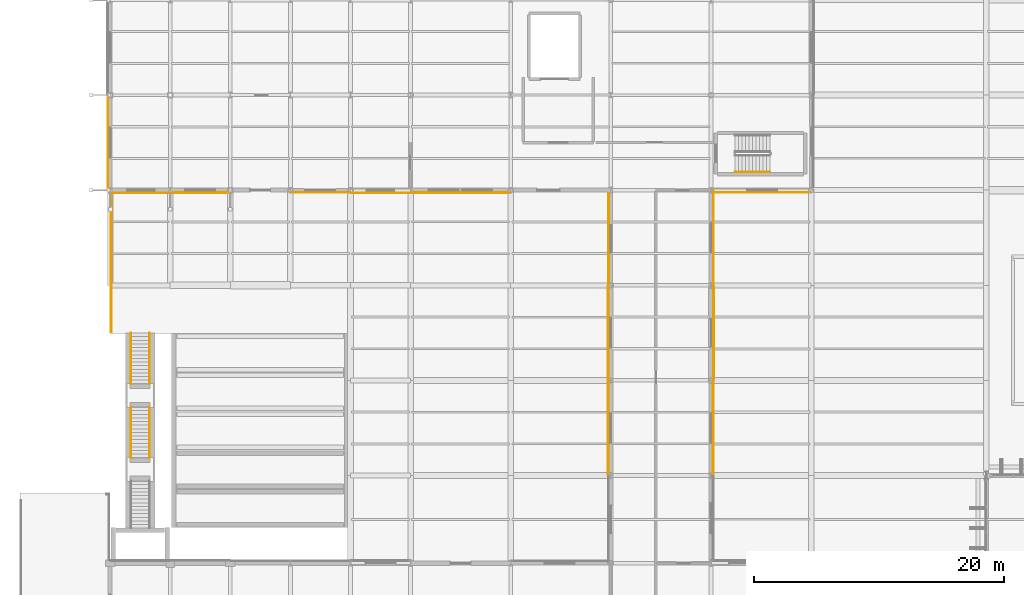
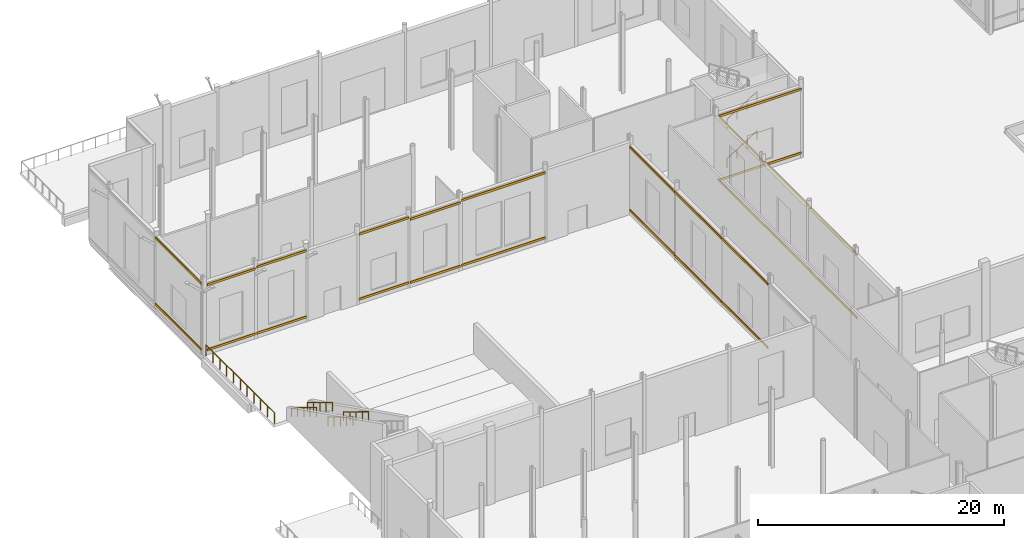
# One storey, part 164 of 176: 26 coverings, 7 railings.
"""IFC4 building model written with IfcOpenShell, lengths in metres."""

from ifc_helpers import new_model, si_unit, direction, frame, origin, origin_2d, place, context, subcontext, project, spatial, rectangle, circle, extrude, material, layer, layer_set, type_object, element, save


model = new_model("IFC4")

# Units and contexts
model_context = context("Model", 3, precision=1e-05, world=origin(), true_north=direction((0.0, 1.0)))
body_context = subcontext(model_context, "Body", "Model", "MODEL_VIEW")
ifc_project = project(units=[si_unit("LENGTHUNIT", "METRE"), si_unit("AREAUNIT", "SQUARE_METRE"), si_unit("VOLUMEUNIT", "CUBIC_METRE"), si_unit("PLANEANGLEUNIT", "RADIAN"), si_unit("MASSUNIT", "GRAM", prefix="KILO")], contexts=[model_context])

# Site, building, storey
site_placement = place(None, origin())
site = spatial("IfcSite", under=ifc_project, at=site_placement, CompositionType="ELEMENT")
building_placement = place(site_placement, origin())
building = spatial("IfcBuilding", under=site, at=building_placement, Name="Vekula Escarpment Museum", CompositionType="ELEMENT")
storey_placement = place(building_placement, origin())
storey = spatial("IfcBuildingStorey", under=building, at=storey_placement, Name="L01", CompositionType="ELEMENT", Elevation=0.0)

# Coverings
ifc_material_1 = material(Name="Polychrome limestone almasik string-course band", Category="masonry")
ifc_layer = layer(ifc_material_1, 0.06005859375)
ifc_layer_set = layer_set([ifc_layer], Name="Polychrome limestone almasik string-course band")
covering_type = type_object("IfcCoveringType", Name="COV-ALM-BAND", PredefinedType="CLADDING", material=ifc_layer_set)
for number, where, z_axis, x_axis, name in (
    (1, (48.176025390625, 94.199951171875, 0.41015625), (0.0, 0.0, 1.0), (0.0, 1.0, 0.0), "Almasik Stone String Course L01-0099"),
    (2, (48.176025390625, 94.199951171875, 6.69482421875), (0.0, 0.0, 1.0), (0.0, 1.0, 0.0), "Almasik Stone String Course L01-0100"),
    (3, (48.216064453125, 101.800048828125, 0.41015625), (0.0, 0.0, 1.0), (0.0, 1.0, 0.0), "Almasik Stone String Course L01-0101"),
    (4, (48.216064453125, 101.800048828125, 6.69482421875), (0.0, 0.0, 1.0), (0.0, 1.0, 0.0), "Almasik Stone String Course L01-0102"),
    (5, (48.200927734375, 109.39990234375, 0.41015625), (0.0, 0.0, 1.0), (0.0, 1.0, 0.0), "Almasik Stone String Course L01-0103"),
    (6, (48.200927734375, 109.39990234375, 6.63525390625), (0.0, 0.0, 1.0), (0.0, 1.0, 0.0), "Almasik Stone String Course L01-0104"),
):
    element("IfcCovering", number, at=place(storey_placement, frame(where, z_axis=z_axis, x_axis=x_axis)), inside=storey, type_object=covering_type, Name=name, PredefinedType="CLADDING", context=body_context, shape_type="SweptSolid", body=[
        extrude(rectangle(XDim=7.47998046875, YDim=0.06005859375, at=origin_2d()), origin(), (0.0, 0.0, 1.0), 0.219970703125),
    ])
for number, where, z_axis, x_axis, name in (
    (7, (52.089599609375, 113.013916015625, 0.41015625), (0.0, 0.0, 1.0), (1.0, 0.0, 0.0), "Almasik Stone String Course L01-0105"),
    (8, (52.089599609375, 113.013916015625, 6.73486328125), (0.0, 0.0, 1.0), (1.0, 0.0, 0.0), "Almasik Stone String Course L01-0106"),
):
    element("IfcCovering", number, at=place(storey_placement, frame(where, z_axis=z_axis, x_axis=x_axis)), inside=storey, type_object=covering_type, Name=name, PredefinedType="CLADDING", context=body_context, shape_type="SweptSolid", body=[
        extrude(rectangle(XDim=7.700927734375, YDim=0.06005859375, at=origin_2d()), origin(), (0.0, 0.0, 1.0), 0.219970703125),
    ])
for number, where, z_axis, x_axis, name in (
    (9, (-0.176025390625, 117.0, 0.41015625), (0.0, 0.0, 1.0), (0.0, 1.0, 0.0), "Almasik Stone String Course L01-0131"),
    (10, (-0.176025390625, 117.0, 6.96484375), (0.0, 0.0, 1.0), (0.0, 1.0, 0.0), "Almasik Stone String Course L01-0132"),
):
    element("IfcCovering", number, at=place(storey_placement, frame(where, z_axis=z_axis, x_axis=x_axis)), inside=storey, type_object=covering_type, Name=name, PredefinedType="CLADDING", context=body_context, shape_type="SweptSolid", body=[
        extrude(rectangle(XDim=7.47998046875, YDim=0.06005859375, at=origin_2d()), origin(), (0.0, 0.0, 1.0), 0.219970703125),
    ])
for number, where, z_axis, x_axis, name in (
    (11, (2.47705078125, 112.98388671875, 0.41015625), (0.0, 0.0, 1.0), (1.0, 0.0, 0.0), "Almasik Stone String Course L01-0133"),
    (12, (2.47705078125, 112.98388671875, 6.85498046875), (0.0, 0.0, 1.0), (1.0, 0.0, 0.0), "Almasik Stone String Course L01-0134"),
):
    element("IfcCovering", number, at=place(storey_placement, frame(where, z_axis=z_axis, x_axis=x_axis)), inside=storey, type_object=covering_type, Name=name, PredefinedType="CLADDING", context=body_context, shape_type="SweptSolid", body=[
        extrude(rectangle(XDim=4.52587890625, YDim=0.06005859375, at=origin_2d()), origin(), (0.0, 0.0, 1.0), 0.219970703125),
    ])
for number, where, z_axis, x_axis, name in (
    (13, (7.199951171875, 112.9990234375, 0.41015625), (0.0, 0.0, 1.0), (1.0, 0.0, 0.0), "Almasik Stone String Course L01-0135"),
    (14, (7.199951171875, 112.9990234375, 6.97509765625), (0.0, 0.0, 1.0), (1.0, 0.0, 0.0), "Almasik Stone String Course L01-0136"),
    (15, (16.800048828125, 113.02392578125, 0.41015625), (0.0, 0.0, 1.0), (1.0, 0.0, 0.0), "Almasik Stone String Course L01-0137"),
    (16, (16.800048828125, 113.02392578125, 6.85498046875), (0.0, 0.0, 1.0), (1.0, 0.0, 0.0), "Almasik Stone String Course L01-0138"),
    (17, (21.60009765625, 112.98388671875, 0.41015625), (0.0, 0.0, 1.0), (1.0, 0.0, 0.0), "Almasik Stone String Course L01-0139"),
    (18, (21.60009765625, 112.98388671875, 6.68505859375), (0.0, 0.0, 1.0), (1.0, 0.0, 0.0), "Almasik Stone String Course L01-0140"),
):
    element("IfcCovering", number, at=place(storey_placement, frame(where, z_axis=z_axis, x_axis=x_axis)), inside=storey, type_object=covering_type, Name=name, PredefinedType="CLADDING", context=body_context, shape_type="SweptSolid", body=[
        extrude(rectangle(XDim=4.679931640625, YDim=0.06005859375, at=origin_2d()), origin(), (0.0, 0.0, 1.0), 0.219970703125),
    ])
for number, where, z_axis, x_axis, name in (
    (19, (28.0, 112.9990234375, 0.41015625), (0.0, 0.0, 1.0), (1.0, 0.0, 0.0), "Almasik Stone String Course L01-0141"),
    (20, (28.0, 112.9990234375, 6.85498046875), (0.0, 0.0, 1.0), (1.0, 0.0, 0.0), "Almasik Stone String Course L01-0142"),
):
    element("IfcCovering", number, at=place(storey_placement, frame(where, z_axis=z_axis, x_axis=x_axis)), inside=storey, type_object=covering_type, Name=name, PredefinedType="CLADDING", context=body_context, shape_type="SweptSolid", body=[
        extrude(rectangle(XDim=7.8798828125, YDim=0.06005859375, at=origin_2d()), origin(), (0.0, 0.0, 1.0), 0.219970703125),
    ])
for number, where, z_axis, x_axis, name in (
    (21, (39.823974609375, 109.318115234375, 0.41015625), (0.0, 0.0, 1.0), (0.0, 1.0, 0.0), "Almasik Stone String Course L01-0143"),
    (22, (39.823974609375, 109.318115234375, 6.63525390625), (0.0, 0.0, 1.0), (0.0, 1.0, 0.0), "Almasik Stone String Course L01-0144"),
):
    element("IfcCovering", number, at=place(storey_placement, frame(where, z_axis=z_axis, x_axis=x_axis)), inside=storey, type_object=covering_type, Name=name, PredefinedType="CLADDING", context=body_context, shape_type="SweptSolid", body=[
        extrude(rectangle(XDim=7.31591796875, YDim=0.06005859375, at=origin_2d()), origin(), (0.0, 0.0, 1.0), 0.219970703125),
    ])
for number, where, z_axis, x_axis, name in (
    (23, (39.783935546875, 101.800048828125, 0.41015625), (0.0, 0.0, 1.0), (0.0, 1.0, 0.0), "Almasik Stone String Course L01-0145"),
    (24, (39.783935546875, 101.800048828125, 6.69482421875), (0.0, 0.0, 1.0), (0.0, 1.0, 0.0), "Almasik Stone String Course L01-0146"),
    (25, (39.799072265625, 94.199951171875, 0.41015625), (0.0, 0.0, 1.0), (0.0, 1.0, 0.0), "Almasik Stone String Course L01-0147"),
    (26, (39.799072265625, 94.199951171875, 6.69482421875), (0.0, 0.0, 1.0), (0.0, 1.0, 0.0), "Almasik Stone String Course L01-0148"),
):
    element("IfcCovering", number, at=place(storey_placement, frame(where, z_axis=z_axis, x_axis=x_axis)), inside=storey, type_object=covering_type, Name=name, PredefinedType="CLADDING", context=body_context, shape_type="SweptSolid", body=[
        extrude(rectangle(XDim=7.47998046875, YDim=0.06005859375, at=origin_2d()), origin(), (0.0, 0.0, 1.0), 0.219970703125),
    ])

# Railings
ifc_material_2 = material(Name="Brushed stainless steel handrail", Category="steel")
railing_type_1 = type_object("IfcRailingType", Name="RL-STAIR-HAND", PredefinedType="HANDRAIL", material=ifc_material_2)
for number, where, name in (
    (27, (1.659912109375, 101.7900390625, 0.17724609375), "Escarpment Plinth Stair Handrail ST-AMP-N1-1L"),
    (28, (3.139892578125, 101.7900390625, 0.17724609375), "Escarpment Plinth Stair Handrail ST-AMP-N1-1R"),
):
    element("IfcRailing", number, at=place(storey_placement, frame(where)), inside=storey, type_object=railing_type_1, Name=name, PredefinedType="HANDRAIL", context=body_context, shape_type="SweptSolid", body=[
        extrude(circle(Radius=0.02392578125, at=origin_2d()), frame((0.0, 0.0, 0.8759765625), z_axis=(0.0, -0.853208268253, 0.521570370118), x_axis=(1.0, 0.0, 0.0)), (0.0, 0.0, 1.0), 4.758544921875),
        extrude(circle(Radius=0.02099609375, at=origin_2d()), origin(), (0.0, 0.0, 1.0), 0.851806640625),
        extrude(circle(Radius=0.02099609375, at=origin_2d()), frame((0.0, -1.01513671875, 0.62060546875)), (0.0, 0.0, 1.0), 0.851806640625),
        extrude(circle(Radius=0.02099609375, at=origin_2d()), frame((0.0, -2.030029296875, 1.240966796875)), (0.0, 0.0, 1.0), 0.851806640625),
        extrude(circle(Radius=0.02099609375, at=origin_2d()), frame((0.0, -3.044921875, 1.861328125)), (0.0, 0.0, 1.0), 0.851806640625),
        extrude(circle(Radius=0.02099609375, at=origin_2d()), frame((0.0, -4.06005859375, 2.48193359375)), (0.0, 0.0, 1.0), 0.851806640625),
    ])
for number, where, name in (
    (29, (1.659912109375, 95.8798828125, 2.83642578125), "Escarpment Plinth Stair Handrail ST-AMP-N1-2L"),
    (30, (3.139892578125, 95.8798828125, 2.83642578125), "Escarpment Plinth Stair Handrail ST-AMP-N1-2R"),
):
    element("IfcRailing", number, at=place(storey_placement, frame(where)), inside=storey, type_object=railing_type_1, Name=name, PredefinedType="HANDRAIL", context=body_context, shape_type="SweptSolid", body=[
        extrude(circle(Radius=0.02392578125, at=origin_2d()), frame((0.0, 0.0, 0.8759765625), z_axis=(0.0, -0.853217143173, 0.521555851847), x_axis=(1.0, 0.0, 0.0)), (0.0, 0.0, 1.0), 4.75830078125),
        extrude(circle(Radius=0.02099609375, at=origin_2d()), origin(), (0.0, 0.0, 1.0), 0.851806640625),
        extrude(circle(Radius=0.02099609375, at=origin_2d()), frame((0.0, -1.014892578125, 0.620361328125)), (0.0, 0.0, 1.0), 0.851806640625),
        extrude(circle(Radius=0.02099609375, at=origin_2d()), frame((0.0, -2.02978515625, 1.24072265625)), (0.0, 0.0, 1.0), 0.851806640625),
        extrude(circle(Radius=0.02099609375, at=origin_2d()), frame((0.0, -3.044921875, 1.861328125)), (0.0, 0.0, 1.0), 0.851806640625),
        extrude(circle(Radius=0.02099609375, at=origin_2d()), frame((0.0, -4.059814453125, 2.481689453125)), (0.0, 0.0, 1.0), 0.851806640625),
    ])
for number, where, name in (
    (31, (49.919921875, 114.64990234375, 0.17724609375), "L01 ST-03 stair handrail 1"),
    (32, (49.919921875, 114.64990234375, 4.077392578125), "L01 ST-03 stair handrail 3"),
):
    element("IfcRailing", number, at=place(storey_placement, frame(where)), inside=storey, type_object=railing_type_1, Name=name, PredefinedType="HANDRAIL", context=body_context, shape_type="SweptSolid", body=[
        extrude(circle(Radius=0.02392578125, at=origin_2d()), frame((0.0, 0.0, 0.8759765625), z_axis=(0.844908973607, 0.0, 0.534910110503), x_axis=(0.0, 1.0, 0.0)), (0.0, 0.0, 1.0), 3.31396484375),
        extrude(circle(Radius=0.02099609375, at=origin_2d()), origin(), (0.0, 0.0, 1.0), 0.851806640625),
        extrude(circle(Radius=0.02099609375, at=origin_2d()), frame((0.933349609375, 0.0, 0.5908203125)), (0.0, 0.0, 1.0), 0.851806640625),
        extrude(circle(Radius=0.02099609375, at=origin_2d()), frame((1.86669921875, 0.0, 1.181884765625)), (0.0, 0.0, 1.0), 0.851806640625),
        extrude(circle(Radius=0.02099609375, at=origin_2d()), frame((2.800048828125, 0.0, 1.772705078125)), (0.0, 0.0, 1.0), 0.851806640625),
    ])
ifc_material_3 = material(Name="Bronze-coated Steel S355 balustrade", Category="steel")
railing_type_2 = type_object("IfcRailingType", Name="RL-TER-GUARD", PredefinedType="GUARDRAIL", material=ifc_material_3)
railing_placement = place(storey_placement, frame((0.090087890625, 101.85498046875, 0.0)))
element("IfcRailing", 33, at=railing_placement, inside=storey, type_object=railing_type_2, Name="Terrace Balustrade L01-018", PredefinedType="GUARDRAIL", context=body_context, shape_type="SweptSolid", body=[
    extrude(circle(Radius=0.02392578125, at=origin_2d()), frame((0.0, 0.0, 1.076171875), z_axis=(0.0, 1.0, 0.0), x_axis=(-1.0, 0.0, 0.0)), (0.0, 0.0, 1.0), 11.06494140625),
    extrude(circle(Radius=0.02099609375, at=origin_2d()), origin(), (0.0, 0.0, 1.0), 1.052001953125),
    extrude(circle(Radius=0.02099609375, at=origin_2d()), frame((0.0, 1.1064453125, 0.0)), (0.0, 0.0, 1.0), 1.052001953125),
    extrude(circle(Radius=0.02099609375, at=origin_2d()), frame((0.0, 2.212890625, 0.0)), (0.0, 0.0, 1.0), 1.052001953125),
    extrude(circle(Radius=0.02099609375, at=origin_2d()), frame((0.0, 3.319580078125, 0.0)), (0.0, 0.0, 1.0), 1.052001953125),
    extrude(circle(Radius=0.02099609375, at=origin_2d()), frame((0.0, 4.426025390625, 0.0)), (0.0, 0.0, 1.0), 1.052001953125),
    extrude(circle(Radius=0.02099609375, at=origin_2d()), frame((0.0, 5.532470703125, 0.0)), (0.0, 0.0, 1.0), 1.052001953125),
    extrude(circle(Radius=0.02099609375, at=origin_2d()), frame((0.0, 6.638916015625, 0.0)), (0.0, 0.0, 1.0), 1.052001953125),
    extrude(circle(Radius=0.02099609375, at=origin_2d()), frame((0.0, 7.745361328125, 0.0)), (0.0, 0.0, 1.0), 1.052001953125),
    extrude(circle(Radius=0.02099609375, at=origin_2d()), frame((0.0, 8.85205078125, 0.0)), (0.0, 0.0, 1.0), 1.052001953125),
    extrude(circle(Radius=0.02099609375, at=origin_2d()), frame((0.0, 9.95849609375, 0.0)), (0.0, 0.0, 1.0), 1.052001953125),
    extrude(circle(Radius=0.02099609375, at=origin_2d()), frame((0.0, 11.06494140625, 0.0)), (0.0, 0.0, 1.0), 1.052001953125),
])

save(model, "model.ifc")
